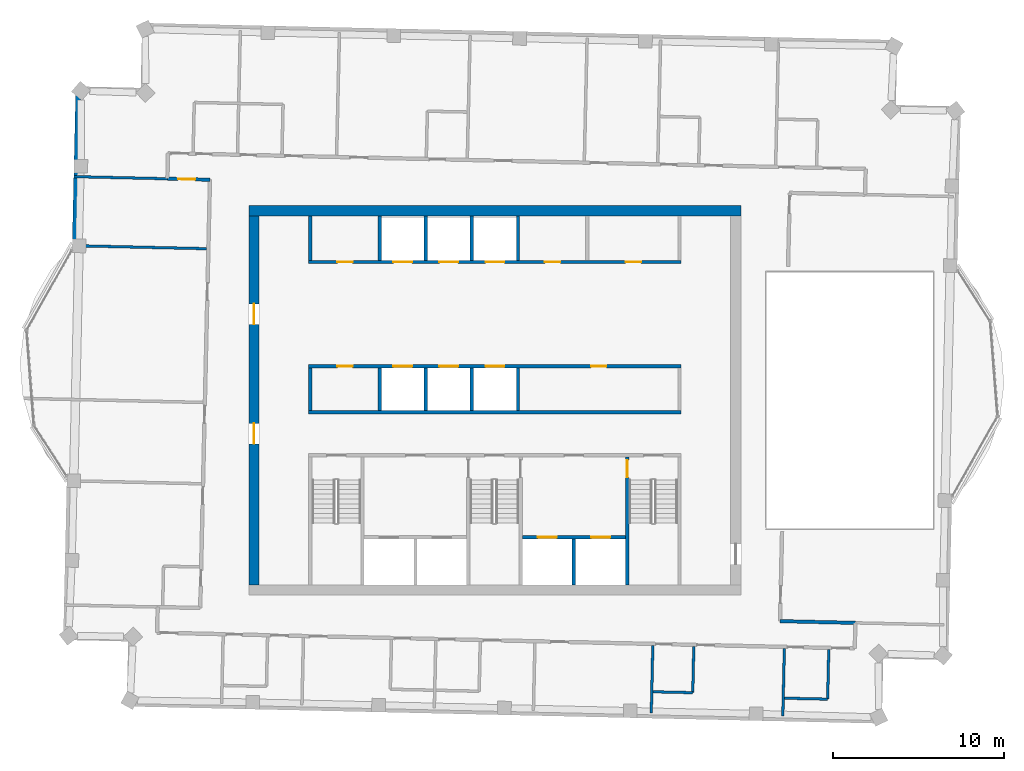
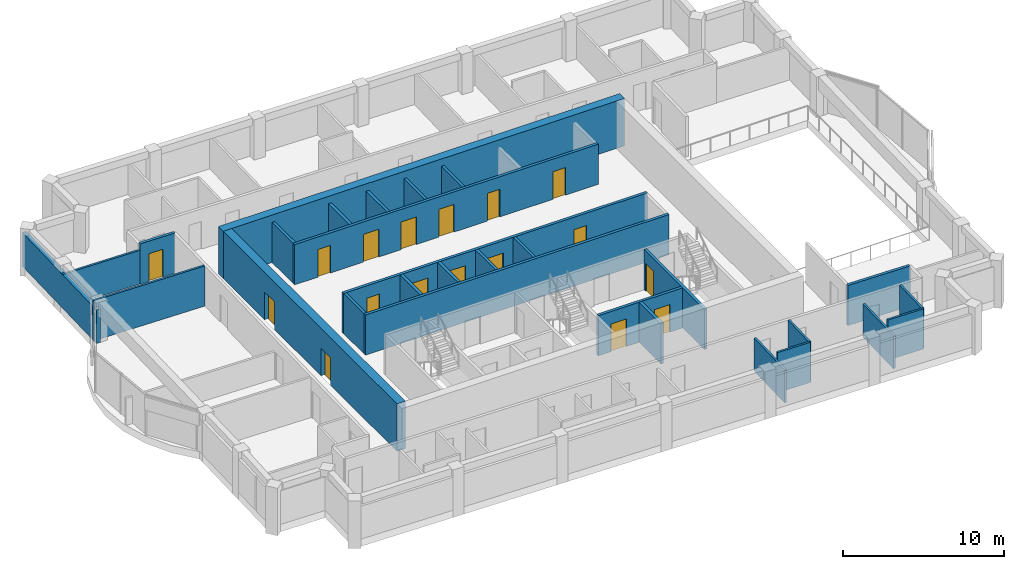
# One storey, part 8 of 12: 29 walls, 17 doors, 17 openings.
"""IFC4 building model written with IfcOpenShell, lengths in metres."""

from ifc_helpers import new_model, si_unit, direction, frame, frame_2d, origin, place, context, subcontext, project, spatial, rectangle, extrude, material, layer, layer_set, type_object, element, fill, save


model = new_model("IFC4")

# Units and contexts
model_context = context("Model", 3, precision=1e-05, world=origin(), true_north=direction((0.0, 1.0)))
body_context = subcontext(model_context, "Body", "Model", "MODEL_VIEW")
ifc_project = project(units=[si_unit("LENGTHUNIT", "METRE"), si_unit("AREAUNIT", "SQUARE_METRE"), si_unit("VOLUMEUNIT", "CUBIC_METRE"), si_unit("PLANEANGLEUNIT", "RADIAN"), si_unit("MASSUNIT", "GRAM", prefix="KILO")], contexts=[model_context])

# Site, building, storey
site_placement = place(None, origin())
site = spatial("IfcSite", under=ifc_project, at=site_placement, CompositionType="ELEMENT")
building_placement = place(site_placement, origin())
building = spatial("IfcBuilding", under=site, at=building_placement, Name="Mangrove Gate Tower", CompositionType="ELEMENT")
storey_placement = place(building_placement, frame((0.0, 0.0, 342.5)))
storey = spatial("IfcBuildingStorey", under=building, at=storey_placement, Name="L87", CompositionType="ELEMENT", Elevation=342.5)

# Walls
ifc_material_1 = material(Name="Concrete C32/40", Category="concrete")
ifc_layer_1 = layer(ifc_material_1, 0.199951171875)
ifc_layer_set_1 = layer_set([ifc_layer_1], Name="Core room wall 200 C32/40")
wall_type_1 = type_object("IfcWallType", Name="Core room wall 200 C32/40", PredefinedType="STANDARD", material=ifc_layer_set_1)
wall_1_placement = place(storey_placement, frame((-10.800048828125, -0.60009765625, 0.0), z_axis=(0.0, 0.0, 1.0), x_axis=(0.0, 1.0, 0.0)))
element("IfcWall", 1, at=wall_1_placement, inside=storey, type_object=wall_type_1, Name="WALL-L87-CORE-19", PredefinedType="STANDARD", context=body_context, shape_type="SweptSolid", body=[
    extrude(rectangle(XDim=2.5, YDim=0.199951171875, at=frame_2d((1.25, 0.0))), origin(), (0.0, 0.0, 1.0), 3.050048828125),
])
wall_2_placement = place(storey_placement, frame((-10.800048828125, 8.199951171875, 0.0), z_axis=(0.0, 0.0, 1.0), x_axis=(0.0, 1.0, 0.0)))
element("IfcWall", 2, at=wall_2_placement, inside=storey, type_object=wall_type_1, Name="WALL-L87-CORE-25", PredefinedType="STANDARD", context=body_context, shape_type="SweptSolid", body=[
    extrude(rectangle(XDim=2.60009765625, YDim=0.199951171875, at=frame_2d((1.300048828125, 0.0))), origin(), (0.0, 0.0, 1.0), 3.050048828125),
])
ifc_material_2 = material(Name="Concrete C50/60", Category="concrete")
ifc_layer_2 = layer(ifc_material_2, 0.199951171875)
ifc_layer_set_2 = layer_set([ifc_layer_2], Name="Core shaft wall 200 C50/60")
wall_type_2 = type_object("IfcWallType", Name="Core shaft wall 200 C50/60", PredefinedType="SHEAR", material=ifc_layer_set_2)
wall_3_placement = place(storey_placement, frame((-10.89990234375, -0.699951171875, 0.0), z_axis=(0.0, 0.0, 1.0), x_axis=(1.0, 0.0, 0.0)))
element("IfcWall", 3, at=wall_3_placement, inside=storey, type_object=wall_type_2, Name="WALL-L87-CORE-6", PredefinedType="SHEAR", context=body_context, shape_type="SweptSolid", body=[
    extrude(rectangle(XDim=21.7998046875, YDim=0.199951171875, at=frame_2d((10.89990234375, 0.0))), origin(), (0.0, 0.0, 1.0), 3.050048828125),
])

# Wall, openings, doors
wall_4_placement = place(storey_placement, frame((-10.89990234375, 2.0, 0.0), z_axis=(0.0, 0.0, 1.0), x_axis=(1.0, 0.0, 0.0)))
wall_4 = element("IfcWall", 4, at=wall_4_placement, inside=storey, type_object=wall_type_2, Name="WALL-L87-CORE-7", PredefinedType="SHEAR", context=body_context, shape_type="SweptSolid", body=[
    extrude(rectangle(XDim=21.7998046875, YDim=0.199951171875, at=frame_2d((10.89990234375, 0.0))), origin(), (0.0, 0.0, 1.0), 3.050048828125),
])
opening_1_placement = place(wall_4_placement, frame((4.949951171875, 0.0, 0.0)))
opening_1 = element("IfcOpeningElement", 5, at=opening_1_placement, cuts=wall_4, Name="Opening LD", PredefinedType="OPENING", context=body_context, shape_type="SweptSolid", body=[
    extrude(rectangle(XDim=1.10009765625, YDim=2.10009765625, at=frame_2d((0.550048828125, 1.050048828125))), frame((0.0, 0.10986328125, 0.0), z_axis=(0.0, -1.0, 0.0), x_axis=(1.0, 0.0, 0.0)), (0.0, 0.0, 1.0), 0.219970703125),
])
opening_2_placement = place(wall_4_placement, frame((7.64990234375, 0.0, 0.0)))
opening_2 = element("IfcOpeningElement", 6, at=opening_2_placement, cuts=wall_4, Name="Opening LD", PredefinedType="OPENING", context=body_context, shape_type="SweptSolid", body=[
    extrude(rectangle(XDim=1.10009765625, YDim=2.10009765625, at=frame_2d((0.550048828125, 1.050048828125))), frame((0.0, 0.10986328125, 0.0), z_axis=(0.0, -1.0, 0.0), x_axis=(1.0, 0.0, 0.0)), (0.0, 0.0, 1.0), 0.219970703125),
])
opening_3_placement = place(wall_4_placement, frame((10.35009765625, 0.0, 0.0)))
opening_3 = element("IfcOpeningElement", 7, at=opening_3_placement, cuts=wall_4, Name="Opening LD", PredefinedType="OPENING", context=body_context, shape_type="SweptSolid", body=[
    extrude(rectangle(XDim=1.10009765625, YDim=2.10009765625, at=frame_2d((0.550048828125, 1.050048828125))), frame((0.0, 0.10986328125, 0.0), z_axis=(0.0, -1.0, 0.0), x_axis=(1.0, 0.0, 0.0)), (0.0, 0.0, 1.0), 0.219970703125),
])
opening_4_placement = place(wall_4_placement, frame((1.675048828125, 0.0, 0.0)))
opening_4 = element("IfcOpeningElement", 8, at=opening_4_placement, cuts=wall_4, Name="Opening RD", PredefinedType="OPENING", context=body_context, shape_type="SweptSolid", body=[
    extrude(rectangle(XDim=0.89990234375, YDim=2.10009765625, at=frame_2d((0.449951171875, 1.050048828125))), frame((0.0, 0.10986328125, 0.0), z_axis=(0.0, -1.0, 0.0), x_axis=(1.0, 0.0, 0.0)), (0.0, 0.0, 1.0), 0.219970703125),
])
opening_5_placement = place(wall_4_placement, frame((16.52490234375, 0.0, 0.0)))
opening_5 = element("IfcOpeningElement", 9, at=opening_5_placement, cuts=wall_4, Name="Opening KD", PredefinedType="OPENING", context=body_context, shape_type="SweptSolid", body=[
    extrude(rectangle(XDim=0.89990234375, YDim=2.10009765625, at=frame_2d((0.449951171875, 1.050048828125))), frame((0.0, 0.10986328125, 0.0), z_axis=(0.0, -1.0, 0.0), x_axis=(1.0, 0.0, 0.0)), (0.0, 0.0, 1.0), 0.219970703125),
])
ifc_material_3 = material(Name="Fire-rated steel door set", Category="steel")
door_type_1 = type_object("IfcDoorType", Name="Core room door FD30S 900x2100", OperationType="SINGLE_SWING_RIGHT", PredefinedType="DOOR", material=ifc_material_3)
door_1_placement = place(opening_5_placement, origin())
door_1 = element("IfcDoor", 10, at=door_1_placement, inside=storey, type_object=door_type_1, Name="Core room door Linen store", OperationType="SINGLE_SWING_RIGHT", OverallHeight=2.10009765625, OverallWidth=0.89990234375, PredefinedType="DOOR", context=body_context, shape_type="SweptSolid", body=[
    extrude(rectangle(XDim=0.89990234375, YDim=2.10009765625, at=frame_2d((0.449951171875, 1.050048828125))), frame((0.0, 0.02490234375, 0.0), z_axis=(0.0, -1.0, 0.0), x_axis=(1.0, 0.0, 0.0)), (0.0, 0.0, 1.0), 0.050048828125),
])
fill(opening_5, door_1)
ifc_material_4 = material(Name="Stainless steel 316", Category="steel")
door_type_2 = type_object("IfcDoorType", Name="Lift landing door 1100x2100", OperationType="SLIDING_TO_LEFT", PredefinedType="DOOR", material=ifc_material_4)
door_2_placement = place(opening_1_placement, origin())
door_2 = element("IfcDoor", 11, at=door_2_placement, inside=storey, type_object=door_type_2, Name="Landing door LD H01", OperationType="SLIDING_TO_LEFT", OverallHeight=2.10009765625, OverallWidth=1.10009765625, PredefinedType="DOOR", context=body_context, shape_type="SweptSolid", body=[
    extrude(rectangle(XDim=1.10009765625, YDim=2.10009765625, at=frame_2d((0.550048828125, 1.050048828125))), frame((0.0, 0.02490234375, 0.0), z_axis=(0.0, -1.0, 0.0), x_axis=(1.0, 0.0, 0.0)), (0.0, 0.0, 1.0), 0.050048828125),
])
fill(opening_1, door_2)
door_3_placement = place(opening_2_placement, origin())
door_3 = element("IfcDoor", 12, at=door_3_placement, inside=storey, type_object=door_type_2, Name="Landing door LD H02", OperationType="SLIDING_TO_LEFT", OverallHeight=2.10009765625, OverallWidth=1.10009765625, PredefinedType="DOOR", context=body_context, shape_type="SweptSolid", body=[
    extrude(rectangle(XDim=1.10009765625, YDim=2.10009765625, at=frame_2d((0.550048828125, 1.050048828125))), frame((0.0, 0.02490234375, 0.0), z_axis=(0.0, -1.0, 0.0), x_axis=(1.0, 0.0, 0.0)), (0.0, 0.0, 1.0), 0.050048828125),
])
fill(opening_2, door_3)
door_4_placement = place(opening_3_placement, origin())
door_4 = element("IfcDoor", 13, at=door_4_placement, inside=storey, type_object=door_type_2, Name="Landing door LD H03", OperationType="SLIDING_TO_LEFT", OverallHeight=2.10009765625, OverallWidth=1.10009765625, PredefinedType="DOOR", context=body_context, shape_type="SweptSolid", body=[
    extrude(rectangle(XDim=1.10009765625, YDim=2.10009765625, at=frame_2d((0.550048828125, 1.050048828125))), frame((0.0, 0.02490234375, 0.0), z_axis=(0.0, -1.0, 0.0), x_axis=(1.0, 0.0, 0.0)), (0.0, 0.0, 1.0), 0.050048828125),
])
fill(opening_3, door_4)
ifc_material_5 = material(Name="Fire-rated steel door set", Category="steel")
door_type_3 = type_object("IfcDoorType", Name="Riser door FD30S 900x2100", OperationType="SINGLE_SWING_LEFT", PredefinedType="DOOR", material=ifc_material_5)
door_5_placement = place(opening_4_placement, origin())
door_5 = element("IfcDoor", 14, at=door_5_placement, inside=storey, type_object=door_type_3, Name="Riser door Electrical room", OperationType="SINGLE_SWING_LEFT", OverallHeight=2.10009765625, OverallWidth=0.89990234375, PredefinedType="DOOR", context=body_context, shape_type="SweptSolid", body=[
    extrude(rectangle(XDim=0.89990234375, YDim=2.10009765625, at=frame_2d((0.449951171875, 1.050048828125))), frame((0.0, 0.02490234375, 0.0), z_axis=(0.0, -1.0, 0.0), x_axis=(1.0, 0.0, 0.0)), (0.0, 0.0, 1.0), 0.050048828125),
])
fill(opening_4, door_5)

wall_5_placement = place(storey_placement, frame((-10.89990234375, 8.10009765625, 0.0), z_axis=(0.0, 0.0, 1.0), x_axis=(1.0, 0.0, 0.0)))
wall_5 = element("IfcWall", 15, at=wall_5_placement, inside=storey, type_object=wall_type_2, Name="WALL-L87-CORE-8", PredefinedType="SHEAR", context=body_context, shape_type="SweptSolid", body=[
    extrude(rectangle(XDim=21.7998046875, YDim=0.199951171875, at=frame_2d((10.89990234375, 0.0))), origin(), (0.0, 0.0, 1.0), 3.050048828125),
])
opening_6_placement = place(wall_5_placement, frame((4.949951171875, 0.0, 0.0)))
opening_6 = element("IfcOpeningElement", 16, at=opening_6_placement, cuts=wall_5, Name="Opening LD", PredefinedType="OPENING", context=body_context, shape_type="SweptSolid", body=[
    extrude(rectangle(XDim=1.10009765625, YDim=2.10009765625, at=frame_2d((0.550048828125, 1.050048828125))), frame((0.0, 0.10986328125, 0.0), z_axis=(0.0, -1.0, 0.0), x_axis=(1.0, 0.0, 0.0)), (0.0, 0.0, 1.0), 0.219970703125),
])
opening_7_placement = place(wall_5_placement, frame((7.64990234375, 0.0, 0.0)))
opening_7 = element("IfcOpeningElement", 17, at=opening_7_placement, cuts=wall_5, Name="Opening LD", PredefinedType="OPENING", context=body_context, shape_type="SweptSolid", body=[
    extrude(rectangle(XDim=1.10009765625, YDim=2.10009765625, at=frame_2d((0.550048828125, 1.050048828125))), frame((0.0, 0.10986328125, 0.0), z_axis=(0.0, -1.0, 0.0), x_axis=(1.0, 0.0, 0.0)), (0.0, 0.0, 1.0), 0.219970703125),
])
opening_8_placement = place(wall_5_placement, frame((10.35009765625, 0.0, 0.0)))
opening_8 = element("IfcOpeningElement", 18, at=opening_8_placement, cuts=wall_5, Name="Opening LD", PredefinedType="OPENING", context=body_context, shape_type="SweptSolid", body=[
    extrude(rectangle(XDim=1.10009765625, YDim=2.10009765625, at=frame_2d((0.550048828125, 1.050048828125))), frame((0.0, 0.10986328125, 0.0), z_axis=(0.0, -1.0, 0.0), x_axis=(1.0, 0.0, 0.0)), (0.0, 0.0, 1.0), 0.219970703125),
])
opening_9_placement = place(wall_5_placement, frame((1.675048828125, 0.0, 0.0)))
opening_9 = element("IfcOpeningElement", 19, at=opening_9_placement, cuts=wall_5, Name="Opening RD", PredefinedType="OPENING", context=body_context, shape_type="SweptSolid", body=[
    extrude(rectangle(XDim=0.89990234375, YDim=2.10009765625, at=frame_2d((0.449951171875, 1.050048828125))), frame((0.0, 0.10986328125, 0.0), z_axis=(0.0, -1.0, 0.0), x_axis=(1.0, 0.0, 0.0)), (0.0, 0.0, 1.0), 0.219970703125),
])
opening_10_placement = place(wall_5_placement, frame((13.824951171875, 0.0, 0.0)))
opening_10 = element("IfcOpeningElement", 20, at=opening_10_placement, cuts=wall_5, Name="Opening RD", PredefinedType="OPENING", context=body_context, shape_type="SweptSolid", body=[
    extrude(rectangle(XDim=0.89990234375, YDim=2.10009765625, at=frame_2d((0.449951171875, 1.050048828125))), frame((0.0, 0.10986328125, 0.0), z_axis=(0.0, -1.0, 0.0), x_axis=(1.0, 0.0, 0.0)), (0.0, 0.0, 1.0), 0.219970703125),
])
opening_11_placement = place(wall_5_placement, frame((18.550048828125, 0.0, 0.0)))
opening_11 = element("IfcOpeningElement", 21, at=opening_11_placement, cuts=wall_5, Name="Opening KD", PredefinedType="OPENING", context=body_context, shape_type="SweptSolid", body=[
    extrude(rectangle(XDim=0.89990234375, YDim=2.10009765625, at=frame_2d((0.449951171875, 1.050048828125))), frame((0.0, 0.10986328125, 0.0), z_axis=(0.0, -1.0, 0.0), x_axis=(1.0, 0.0, 0.0)), (0.0, 0.0, 1.0), 0.219970703125),
])
door_6_placement = place(opening_11_placement, origin())
door_6 = element("IfcDoor", 22, at=door_6_placement, inside=storey, type_object=door_type_1, Name="Core room door Core WC", OperationType="SINGLE_SWING_RIGHT", OverallHeight=2.10009765625, OverallWidth=0.89990234375, PredefinedType="DOOR", context=body_context, shape_type="SweptSolid", body=[
    extrude(rectangle(XDim=0.89990234375, YDim=2.10009765625, at=frame_2d((0.449951171875, 1.050048828125))), frame((0.0, 0.02490234375, 0.0), z_axis=(0.0, -1.0, 0.0), x_axis=(1.0, 0.0, 0.0)), (0.0, 0.0, 1.0), 0.050048828125),
])
fill(opening_11, door_6)
door_7_placement = place(opening_6_placement, origin())
door_7 = element("IfcDoor", 23, at=door_7_placement, inside=storey, type_object=door_type_2, Name="Landing door LD H04", OperationType="SLIDING_TO_LEFT", OverallHeight=2.10009765625, OverallWidth=1.10009765625, PredefinedType="DOOR", context=body_context, shape_type="SweptSolid", body=[
    extrude(rectangle(XDim=1.10009765625, YDim=2.10009765625, at=frame_2d((0.550048828125, 1.050048828125))), frame((0.0, 0.02490234375, 0.0), z_axis=(0.0, -1.0, 0.0), x_axis=(1.0, 0.0, 0.0)), (0.0, 0.0, 1.0), 0.050048828125),
])
fill(opening_6, door_7)
door_8_placement = place(opening_7_placement, origin())
door_8 = element("IfcDoor", 24, at=door_8_placement, inside=storey, type_object=door_type_2, Name="Landing door LD H05", OperationType="SLIDING_TO_LEFT", OverallHeight=2.10009765625, OverallWidth=1.10009765625, PredefinedType="DOOR", context=body_context, shape_type="SweptSolid", body=[
    extrude(rectangle(XDim=1.10009765625, YDim=2.10009765625, at=frame_2d((0.550048828125, 1.050048828125))), frame((0.0, 0.02490234375, 0.0), z_axis=(0.0, -1.0, 0.0), x_axis=(1.0, 0.0, 0.0)), (0.0, 0.0, 1.0), 0.050048828125),
])
fill(opening_7, door_8)
door_9_placement = place(opening_8_placement, origin())
door_9 = element("IfcDoor", 25, at=door_9_placement, inside=storey, type_object=door_type_2, Name="Landing door LD H06", OperationType="SLIDING_TO_LEFT", OverallHeight=2.10009765625, OverallWidth=1.10009765625, PredefinedType="DOOR", context=body_context, shape_type="SweptSolid", body=[
    extrude(rectangle(XDim=1.10009765625, YDim=2.10009765625, at=frame_2d((0.550048828125, 1.050048828125))), frame((0.0, 0.02490234375, 0.0), z_axis=(0.0, -1.0, 0.0), x_axis=(1.0, 0.0, 0.0)), (0.0, 0.0, 1.0), 0.050048828125),
])
fill(opening_8, door_9)
door_10_placement = place(opening_9_placement, origin())
door_10 = element("IfcDoor", 26, at=door_10_placement, inside=storey, type_object=door_type_3, Name="Riser door Switch room", OperationType="SINGLE_SWING_LEFT", OverallHeight=2.10009765625, OverallWidth=0.89990234375, PredefinedType="DOOR", context=body_context, shape_type="SweptSolid", body=[
    extrude(rectangle(XDim=0.89990234375, YDim=2.10009765625, at=frame_2d((0.449951171875, 1.050048828125))), frame((0.0, 0.02490234375, 0.0), z_axis=(0.0, -1.0, 0.0), x_axis=(1.0, 0.0, 0.0)), (0.0, 0.0, 1.0), 0.050048828125),
])
fill(opening_9, door_10)
door_11_placement = place(opening_10_placement, origin())
door_11 = element("IfcDoor", 27, at=door_11_placement, inside=storey, type_object=door_type_3, Name="Riser door Comms room", OperationType="SINGLE_SWING_LEFT", OverallHeight=2.10009765625, OverallWidth=0.89990234375, PredefinedType="DOOR", context=body_context, shape_type="SweptSolid", body=[
    extrude(rectangle(XDim=0.89990234375, YDim=2.10009765625, at=frame_2d((0.449951171875, 1.050048828125))), frame((0.0, 0.02490234375, 0.0), z_axis=(0.0, -1.0, 0.0), x_axis=(1.0, 0.0, 0.0)), (0.0, 0.0, 1.0), 0.050048828125),
])
fill(opening_10, door_11)

wall_6_placement = place(storey_placement, frame((1.60009765625, -8.0, 0.0), z_axis=(0.0, 0.0, 1.0), x_axis=(1.0, 0.0, 0.0)))
wall_6 = element("IfcWall", 28, at=wall_6_placement, inside=storey, type_object=wall_type_2, Name="WALL-L87-CORE-17", PredefinedType="SHEAR", context=body_context, shape_type="SweptSolid", body=[
    extrude(rectangle(XDim=6.0498046875, YDim=0.199951171875, at=frame_2d((3.02490234375, 0.0))), origin(), (0.0, 0.0, 1.0), 3.050048828125),
])
opening_12_placement = place(wall_6_placement, frame((0.91259765625, 0.0, 0.0)))
opening_12 = element("IfcOpeningElement", 29, at=opening_12_placement, cuts=wall_6, Name="Opening LD", PredefinedType="OPENING", context=body_context, shape_type="SweptSolid", body=[
    extrude(rectangle(XDim=1.10009765625, YDim=2.10009765625, at=frame_2d((0.550048828125, 1.050048828125))), frame((0.0, 0.10986328125, 0.0), z_axis=(0.0, -1.0, 0.0), x_axis=(1.0, 0.0, 0.0)), (0.0, 0.0, 1.0), 0.219970703125),
])
opening_13_placement = place(wall_6_placement, frame((4.03759765625, 0.0, 0.0)))
opening_13 = element("IfcOpeningElement", 30, at=opening_13_placement, cuts=wall_6, Name="Opening LD", PredefinedType="OPENING", context=body_context, shape_type="SweptSolid", body=[
    extrude(rectangle(XDim=1.10009765625, YDim=2.10009765625, at=frame_2d((0.550048828125, 1.050048828125))), frame((0.0, 0.10986328125, 0.0), z_axis=(0.0, -1.0, 0.0), x_axis=(1.0, 0.0, 0.0)), (0.0, 0.0, 1.0), 0.219970703125),
])
door_12_placement = place(opening_12_placement, origin())
door_12 = element("IfcDoor", 31, at=door_12_placement, inside=storey, type_object=door_type_2, Name="Landing door LD FFL1", OperationType="SLIDING_TO_LEFT", OverallHeight=2.10009765625, OverallWidth=1.10009765625, PredefinedType="DOOR", context=body_context, shape_type="SweptSolid", body=[
    extrude(rectangle(XDim=1.10009765625, YDim=2.10009765625, at=frame_2d((0.550048828125, 1.050048828125))), frame((0.0, 0.02490234375, 0.0), z_axis=(0.0, -1.0, 0.0), x_axis=(1.0, 0.0, 0.0)), (0.0, 0.0, 1.0), 0.050048828125),
])
fill(opening_12, door_12)
door_13_placement = place(opening_13_placement, origin())
door_13 = element("IfcDoor", 32, at=door_13_placement, inside=storey, type_object=door_type_2, Name="Landing door LD FFL2", OperationType="SLIDING_TO_LEFT", OverallHeight=2.10009765625, OverallWidth=1.10009765625, PredefinedType="DOOR", context=body_context, shape_type="SweptSolid", body=[
    extrude(rectangle(XDim=1.10009765625, YDim=2.10009765625, at=frame_2d((0.550048828125, 1.050048828125))), frame((0.0, 0.02490234375, 0.0), z_axis=(0.0, -1.0, 0.0), x_axis=(1.0, 0.0, 0.0)), (0.0, 0.0, 1.0), 0.050048828125),
])
fill(opening_13, door_13)

# Walls
wall_7_placement = place(storey_placement, frame((4.625, -10.800048828125, 0.0), z_axis=(0.0, 0.0, 1.0), x_axis=(0.0, 1.0, 0.0)))
element("IfcWall", 33, at=wall_7_placement, inside=storey, type_object=wall_type_2, Name="WALL-L87-CORE-18", PredefinedType="SHEAR", context=body_context, shape_type="SweptSolid", body=[
    extrude(rectangle(XDim=2.699951171875, YDim=0.199951171875, at=frame_2d((1.35009765625, 0.0))), origin(), (0.0, 0.0, 1.0), 3.050048828125),
])
for number, where, z_axis, x_axis, name in (
    (34, (-6.75, -0.60009765625, 0.0), (0.0, 0.0, 1.0), (0.0, 1.0, 0.0), "WALL-L87-CORE-20"),
    (35, (-4.050048828125, -0.60009765625, 0.0), (0.0, 0.0, 1.0), (0.0, 1.0, 0.0), "WALL-L87-CORE-21"),
    (36, (-1.35009765625, -0.60009765625, 0.0), (0.0, 0.0, 1.0), (0.0, 1.0, 0.0), "WALL-L87-CORE-22"),
    (37, (1.35009765625, -0.60009765625, 0.0), (0.0, 0.0, 1.0), (0.0, 1.0, 0.0), "WALL-L87-CORE-23"),
):
    element("IfcWall", number, at=place(storey_placement, frame(where, z_axis=z_axis, x_axis=x_axis)), inside=storey, type_object=wall_type_2, Name=name, PredefinedType="SHEAR", context=body_context, shape_type="SweptSolid", body=[
        extrude(rectangle(XDim=2.5, YDim=0.199951171875, at=frame_2d((1.25, 0.0))), origin(), (0.0, 0.0, 1.0), 3.050048828125),
    ])
for number, where, z_axis, x_axis, name in (
    (38, (-6.75, 8.199951171875, 0.0), (0.0, 0.0, 1.0), (0.0, 1.0, 0.0), "WALL-L87-CORE-26"),
    (39, (-4.050048828125, 8.199951171875, 0.0), (0.0, 0.0, 1.0), (0.0, 1.0, 0.0), "WALL-L87-CORE-27"),
    (40, (-1.35009765625, 8.199951171875, 0.0), (0.0, 0.0, 1.0), (0.0, 1.0, 0.0), "WALL-L87-CORE-28"),
    (41, (1.35009765625, 8.199951171875, 0.0), (0.0, 0.0, 1.0), (0.0, 1.0, 0.0), "WALL-L87-CORE-29"),
):
    element("IfcWall", number, at=place(storey_placement, frame(where, z_axis=z_axis, x_axis=x_axis)), inside=storey, type_object=wall_type_2, Name=name, PredefinedType="SHEAR", context=body_context, shape_type="SweptSolid", body=[
        extrude(rectangle(XDim=2.60009765625, YDim=0.199951171875, at=frame_2d((1.300048828125, 0.0))), origin(), (0.0, 0.0, 1.0), 3.050048828125),
    ])

# Wall, opening, door
ifc_material_6 = material(Name="Concrete C50/60", Category="concrete")
ifc_layer_3 = layer(ifc_material_6, 0.199951171875)
ifc_layer_set_3 = layer_set([ifc_layer_3], Name="Core stair wall 200 C50/60")
wall_type_3 = type_object("IfcWallType", Name="Core stair wall 200 C50/60", PredefinedType="SHEAR", material=ifc_layer_set_3)
wall_8_placement = place(storey_placement, frame((7.75, -10.800048828125, 0.0), z_axis=(0.0, 0.0, 1.0), x_axis=(0.0, 1.0, 0.0)))
wall_8 = element("IfcWall", 42, at=wall_8_placement, inside=storey, type_object=wall_type_3, Name="WALL-L87-CORE-13", PredefinedType="SHEAR", context=body_context, shape_type="SweptSolid", body=[
    extrude(rectangle(XDim=7.5, YDim=0.199951171875, at=frame_2d((3.75, 0.0))), origin(), (0.0, 0.0, 1.0), 3.050048828125),
])
opening_14_placement = place(wall_8_placement, frame((6.300048828125, 0.0, 0.0)))
opening_14 = element("IfcOpeningElement", 43, at=opening_14_placement, cuts=wall_8, Name="Opening STD10", PredefinedType="OPENING", context=body_context, shape_type="SweptSolid", body=[
    extrude(rectangle(XDim=1.0, YDim=2.10009765625, at=frame_2d((0.5, 1.050048828125))), frame((0.0, 0.10986328125, 0.0), z_axis=(0.0, -1.0, 0.0), x_axis=(1.0, 0.0, 0.0)), (0.0, 0.0, 1.0), 0.219970703125),
])
ifc_material_7 = material(Name="Fire-rated steel door set", Category="steel")
door_type_4 = type_object("IfcDoorType", Name="Stair door FD60 1000x2100", OperationType="SINGLE_SWING_RIGHT", PredefinedType="DOOR", material=ifc_material_7)
door_14_placement = place(opening_14_placement, origin())
door_14 = element("IfcDoor", 44, at=door_14_placement, inside=storey, type_object=door_type_4, Name="Stair door Stair 3 from fire-fighting lobby", OperationType="SINGLE_SWING_RIGHT", OverallHeight=2.10009765625, OverallWidth=1.0, PredefinedType="DOOR", context=body_context, shape_type="SweptSolid", body=[
    extrude(rectangle(XDim=1.0, YDim=2.10009765625, at=frame_2d((0.5, 1.050048828125))), frame((0.0, 0.02490234375, 0.0), z_axis=(0.0, -1.0, 0.0), x_axis=(1.0, 0.0, 0.0)), (0.0, 0.0, 1.0), 0.050048828125),
])
fill(opening_14, door_14)

# Wall
ifc_material_8 = material(Name="Concrete C50/60", Category="concrete")
ifc_layer_4 = layer(ifc_material_8, 0.60009765625)
ifc_layer_set_4 = layer_set([ifc_layer_4], Name="Core wall 600 C50/60")
wall_type_4 = type_object("IfcWallType", Name="Core wall 600 C50/60", PredefinedType="SHEAR", material=ifc_layer_set_4)
wall_9_placement = place(storey_placement, frame((-14.39990234375, 11.10009765625, 0.0), z_axis=(0.0, 0.0, 1.0), x_axis=(1.0, 0.0, 0.0)))
element("IfcWall", 45, at=wall_9_placement, inside=storey, type_object=wall_type_4, Name="WALL-L87-CORE-2", PredefinedType="SHEAR", context=body_context, shape_type="SweptSolid", body=[
    extrude(rectangle(XDim=28.7998046875, YDim=0.60009765625, at=frame_2d((14.39990234375, 0.0))), origin(), (0.0, 0.0, 1.0), 3.60009765625),
])

# Wall, openings, doors
wall_10_placement = place(storey_placement, frame((-14.10009765625, -10.800048828125, 0.0), z_axis=(0.0, 0.0, 1.0), x_axis=(0.0, 1.0, 0.0)))
wall_10 = element("IfcWall", 46, at=wall_10_placement, inside=storey, type_object=wall_type_4, Name="WALL-L87-CORE-3", PredefinedType="SHEAR", context=body_context, shape_type="SweptSolid", body=[
    extrude(rectangle(XDim=21.60009765625, YDim=0.60009765625, at=frame_2d((10.800048828125, 0.0))), origin(), (0.0, 0.0, 1.0), 3.60009765625),
])
opening_15_placement = place(wall_10_placement, frame((8.25, 0.0, 0.0)))
opening_15 = element("IfcOpeningElement", 47, at=opening_15_placement, cuts=wall_10, Name="Opening CD", PredefinedType="OPENING", context=body_context, shape_type="SweptSolid", body=[
    extrude(rectangle(XDim=1.199951171875, YDim=2.10009765625, at=frame_2d((0.60009765625, 1.050048828125))), frame((0.0, 0.31005859375, 0.0), z_axis=(0.0, -1.0, 0.0), x_axis=(1.0, 0.0, 0.0)), (0.0, 0.0, 1.0), 0.6201171875),
])
opening_16_placement = place(wall_10_placement, frame((15.25, 0.0, 0.0)))
opening_16 = element("IfcOpeningElement", 48, at=opening_16_placement, cuts=wall_10, Name="Opening CD", PredefinedType="OPENING", context=body_context, shape_type="SweptSolid", body=[
    extrude(rectangle(XDim=1.199951171875, YDim=2.10009765625, at=frame_2d((0.60009765625, 1.050048828125))), frame((0.0, 0.31005859375, 0.0), z_axis=(0.0, -1.0, 0.0), x_axis=(1.0, 0.0, 0.0)), (0.0, 0.0, 1.0), 0.6201171875),
])
ifc_material_9 = material(Name="Fire-rated steel door set", Category="steel")
door_type_5 = type_object("IfcDoorType", Name="Core ring door FD60 1200x2100", OperationType="DOUBLE_DOOR_SINGLE_SWING", PredefinedType="DOOR", material=ifc_material_9)
door_15_placement = place(opening_15_placement, origin())
door_15 = element("IfcDoor", 49, at=door_15_placement, inside=storey, type_object=door_type_5, Name="Core ring door W1", OperationType="DOUBLE_DOOR_SINGLE_SWING", OverallHeight=2.10009765625, OverallWidth=1.199951171875, PredefinedType="DOOR", context=body_context, shape_type="SweptSolid", body=[
    extrude(rectangle(XDim=1.199951171875, YDim=2.10009765625, at=frame_2d((0.60009765625, 1.050048828125))), frame((0.0, 0.02490234375, 0.0), z_axis=(0.0, -1.0, 0.0), x_axis=(1.0, 0.0, 0.0)), (0.0, 0.0, 1.0), 0.050048828125),
])
fill(opening_15, door_15)
door_16_placement = place(opening_16_placement, origin())
door_16 = element("IfcDoor", 50, at=door_16_placement, inside=storey, type_object=door_type_5, Name="Core ring door W2", OperationType="DOUBLE_DOOR_SINGLE_SWING", OverallHeight=2.10009765625, OverallWidth=1.199951171875, PredefinedType="DOOR", context=body_context, shape_type="SweptSolid", body=[
    extrude(rectangle(XDim=1.199951171875, YDim=2.10009765625, at=frame_2d((0.60009765625, 1.050048828125))), frame((0.0, 0.02490234375, 0.0), z_axis=(0.0, -1.0, 0.0), x_axis=(1.0, 0.0, 0.0)), (0.0, 0.0, 1.0), 0.050048828125),
])
fill(opening_16, door_16)

# Wall
ifc_material_10 = material(Name="Gypsum board on steel stud, EI 60", Category="steel")
ifc_layer_5 = layer(ifc_material_10, 0.199951171875)
ifc_layer_set_5 = layer_set([ifc_layer_5], Name="Corridor wall EI 60")
wall_type_5 = type_object("IfcWallType", Name="Corridor wall EI 60", PredefinedType="PARTITIONING", material=ifc_layer_set_5)
wall_11_placement = place(storey_placement, frame((16.678955078125, -12.91796875, 0.0), z_axis=(0.0, 0.0, 1.0), x_axis=(0.999737590501, -0.022907425419, 0.0)))
element("IfcWall", 51, at=wall_11_placement, inside=storey, type_object=wall_type_5, Name="WALL-L87-023", PredefinedType="PARTITIONING", context=body_context, shape_type="SweptSolid", body=[
    extrude(rectangle(XDim=4.412353515625, YDim=0.199951171875, at=frame_2d((2.2060546875, 0.0))), origin(), (0.0, 0.0, 1.0), 3.050048828125),
])

# Wall, opening, door
wall_12_placement = place(storey_placement, frame((-19.166015625, 12.970947265625, 0.0), z_axis=(0.0, 0.0, 1.0), x_axis=(0.999747428818, -0.022473953195, 0.0)))
wall_12 = element("IfcWall", 52, at=wall_12_placement, inside=storey, type_object=wall_type_5, Name="WALL-L87-032", PredefinedType="PARTITIONING", context=body_context, shape_type="SweptSolid", body=[
    extrude(rectangle(XDim=2.48779296875, YDim=0.199951171875, at=frame_2d((1.243896484375, 0.0))), origin(), (0.0, 0.0, 1.0), 3.050048828125),
])
opening_17_placement = place(wall_12_placement, frame((0.6220703125, 0.0, 0.0)))
opening_17 = element("IfcOpeningElement", 53, at=opening_17_placement, cuts=wall_12, Name="Opening AD", PredefinedType="OPENING", context=body_context, shape_type="SweptSolid", body=[
    extrude(rectangle(XDim=1.0, YDim=2.10009765625, at=frame_2d((0.5, 1.050048828125))), frame((0.0, 0.10986328125, 0.0), z_axis=(0.0, -1.0, 0.0), x_axis=(1.0, 0.0, 0.0)), (0.0, 0.0, 1.0), 0.219970703125),
])
ifc_material_11 = material(Name="Timber door leaf", Category="wood")
door_type_6 = type_object("IfcDoorType", Name="Amenity door 1000", OperationType="SINGLE_SWING_LEFT", PredefinedType="DOOR", material=ifc_material_11)
door_17_placement = place(opening_17_placement, origin())
door_17 = element("IfcDoor", 54, at=door_17_placement, inside=storey, type_object=door_type_6, Name="DOOR-L87-STU-c5a", OperationType="SINGLE_SWING_LEFT", OverallHeight=2.10009765625, OverallWidth=1.0, PredefinedType="DOOR", context=body_context, shape_type="SweptSolid", body=[
    extrude(rectangle(XDim=1.0, YDim=2.10009765625, at=frame_2d((0.5, 1.050048828125))), frame((0.0, 0.02490234375, 0.0), z_axis=(0.0, -1.0, 0.0), x_axis=(1.0, 0.0, 0.0)), (0.0, 0.0, 1.0), 0.050048828125),
])
fill(opening_17, door_17)

# Walls
ifc_material_12 = material(Name="Limestone", Category="masonry")
ifc_layer_6 = layer(ifc_material_12, 0.0400390625, Name="Limestone cladding")
ifc_material_13 = material(Name="Ventilated air gap")
ifc_layer_7 = layer(ifc_material_13, 0.0400390625, Name="Ventilated cavity")
ifc_material_14 = material(Name="Mineral wool insulation")
ifc_layer_8 = layer(ifc_material_14, 0.06005859375, Name="Insulation")
ifc_material_15 = material(Name="Breather membrane")
ifc_layer_9 = layer(ifc_material_15, 0.001953125, Name="Breather membrane")
ifc_material_16 = material(Name="Concrete C20/25 blockwork", Category="masonry")
ifc_layer_10 = layer(ifc_material_16, 0.14990234375, Name="Blockwork backing wall")
ifc_material_17 = material(Name="Gypsum plaster")
ifc_layer_11 = layer(ifc_material_17, 0.008056640625, Name="Internal plaster")
ifc_layer_set_6 = layer_set([ifc_layer_6, ifc_layer_7, ifc_layer_8, ifc_layer_9, ifc_layer_10, ifc_layer_11], Name="External wall 300 limestone cladding")
wall_type_6 = type_object("IfcWallType", Name="External wall 300 limestone cladding", PredefinedType="SOLIDWALL", material=ifc_layer_set_6)
wall_13_placement = place(storey_placement, frame((-24.3798828125, 18.220947265625, 0.0), z_axis=(0.0, 0.0, 1.0), x_axis=(-0.022668695782, -0.9997430321, 0.0)))
element("IfcWall", 55, at=wall_13_placement, inside=storey, type_object=wall_type_6, Name="WALL-L87-W8s1", PredefinedType="SOLIDWALL", context=body_context, shape_type="SweptSolid", body=[
    extrude(rectangle(XDim=9.574462890625, YDim=0.300048828125, at=frame_2d((4.787109375, 0.0))), origin(), (0.0, 0.0, 1.0), 2.550048828125),
])
ifc_material_18 = material(Name="Gypsum board on steel stud, EI 60", Category="steel")
ifc_layer_12 = layer(ifc_material_18, 0.14990234375)
ifc_layer_set_7 = layer_set([ifc_layer_12], Name="Party wall 150 EI 60")
wall_type_7 = type_object("IfcWallType", Name="Party wall 150 EI 60", PredefinedType="PARTITIONING", material=ifc_layer_set_7)
wall_14_placement = place(storey_placement, frame((9.14990234375, -18.299072265625, 0.0), z_axis=(0.0, 0.0, 1.0), x_axis=(0.022807049009, 0.999739885428, 0.0)))
element("IfcWall", 56, at=wall_14_placement, inside=storey, type_object=wall_type_7, Name="WALL-L87-005", PredefinedType="PARTITIONING", context=body_context, shape_type="SweptSolid", body=[
    extrude(rectangle(XDim=3.949951171875, YDim=0.14990234375, at=frame_2d((1.97509765625, 0.0))), origin(), (0.0, 0.0, 1.0), 2.5),
])
wall_15_placement = place(storey_placement, frame((16.847900390625, -18.47412109375, 0.0), z_axis=(0.0, 0.0, 1.0), x_axis=(0.022805639811, 0.999739917575, 0.0)))
element("IfcWall", 57, at=wall_15_placement, inside=storey, type_object=wall_type_7, Name="WALL-L87-006", PredefinedType="PARTITIONING", context=body_context, shape_type="SweptSolid", body=[
    extrude(rectangle(XDim=3.9501953125, YDim=0.14990234375, at=frame_2d((1.97509765625, 0.0))), origin(), (0.0, 0.0, 1.0), 2.5),
])
wall_16_placement = place(storey_placement, frame((16.947021484375, -17.426025390625, 0.0), z_axis=(0.0, 0.0, 1.0), x_axis=(0.9997461113, -0.022532486354, 0.0)))
element("IfcWall", 58, at=wall_16_placement, inside=storey, type_object=wall_type_7, Name="WALL-L87-012", PredefinedType="PARTITIONING", context=body_context, shape_type="SweptSolid", body=[
    extrude(rectangle(XDim=2.524658203125, YDim=0.14990234375, at=frame_2d((1.26220703125, 0.0))), origin(), (0.0, 0.0, 1.0), 3.050048828125),
])
wall_17_placement = place(storey_placement, frame((19.470947265625, -17.48291015625, 0.0), z_axis=(0.0, 0.0, 1.0), x_axis=(0.022817032779, 0.999739657619, 0.0)))
element("IfcWall", 59, at=wall_17_placement, inside=storey, type_object=wall_type_7, Name="WALL-L87-013", PredefinedType="PARTITIONING", context=body_context, shape_type="SweptSolid", body=[
    extrude(rectangle(XDim=2.899658203125, YDim=0.14990234375, at=frame_2d((1.44970703125, 0.0))), origin(), (0.0, 0.0, 1.0), 3.050048828125),
])
wall_18_placement = place(storey_placement, frame((9.25390625, -17.051025390625, 0.0), z_axis=(0.0, 0.0, 1.0), x_axis=(0.999740260747, -0.02279059109, 0.0)))
element("IfcWall", 60, at=wall_18_placement, inside=storey, type_object=wall_type_7, Name="WALL-L87-014", PredefinedType="PARTITIONING", context=body_context, shape_type="SweptSolid", body=[
    extrude(rectangle(XDim=2.324462890625, YDim=0.14990234375, at=frame_2d((1.162109375, 0.0))), origin(), (0.0, 0.0, 1.0), 3.050048828125),
])
wall_19_placement = place(storey_placement, frame((11.577880859375, -17.10400390625, 0.0), z_axis=(0.0, 0.0, 1.0), x_axis=(0.022600248254, 0.99974458177, 0.0)))
element("IfcWall", 61, at=wall_19_placement, inside=storey, type_object=wall_type_7, Name="WALL-L87-015", PredefinedType="PARTITIONING", context=body_context, shape_type="SweptSolid", body=[
    extrude(rectangle(XDim=2.70068359375, YDim=0.14990234375, at=frame_2d((1.350341796875, 0.0))), origin(), (0.0, 0.0, 1.0), 3.050048828125),
])
wall_20_placement = place(storey_placement, frame((-24.738037109375, 9.056884765625, 0.0), z_axis=(0.0, 0.0, 1.0), x_axis=(0.999741370831, -0.022741843553, 0.0)))
element("IfcWall", 62, at=wall_20_placement, inside=storey, type_object=wall_type_7, Name="WALL-L87-030", PredefinedType="PARTITIONING", context=body_context, shape_type="SweptSolid", body=[
    extrude(rectangle(XDim=7.868896484375, YDim=0.14990234375, at=frame_2d((3.9345703125, 0.0))), origin(), (0.0, 0.0, 1.0), 3.050048828125),
])
wall_21_placement = place(storey_placement, frame((-24.64599609375, 13.095947265625, 0.0), z_axis=(0.0, 0.0, 1.0), x_axis=(0.999740316781, -0.022788132944, 0.0)))
element("IfcWall", 63, at=wall_21_placement, inside=storey, type_object=wall_type_7, Name="WALL-L87-031", PredefinedType="PARTITIONING", context=body_context, shape_type="SweptSolid", body=[
    extrude(rectangle(XDim=5.4853515625, YDim=0.14990234375, at=frame_2d((2.74267578125, 0.0))), origin(), (0.0, 0.0, 1.0), 2.550048828125),
])

save(model, "model.ifc")
